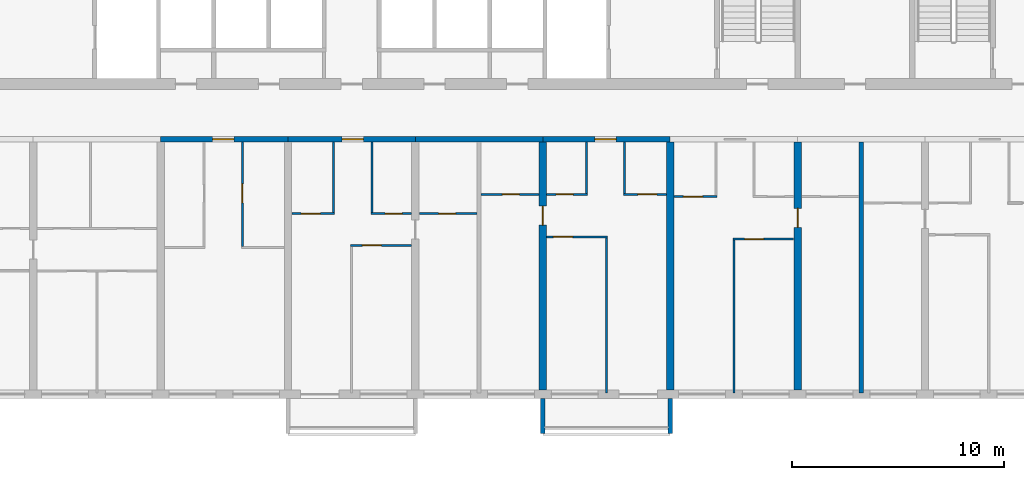
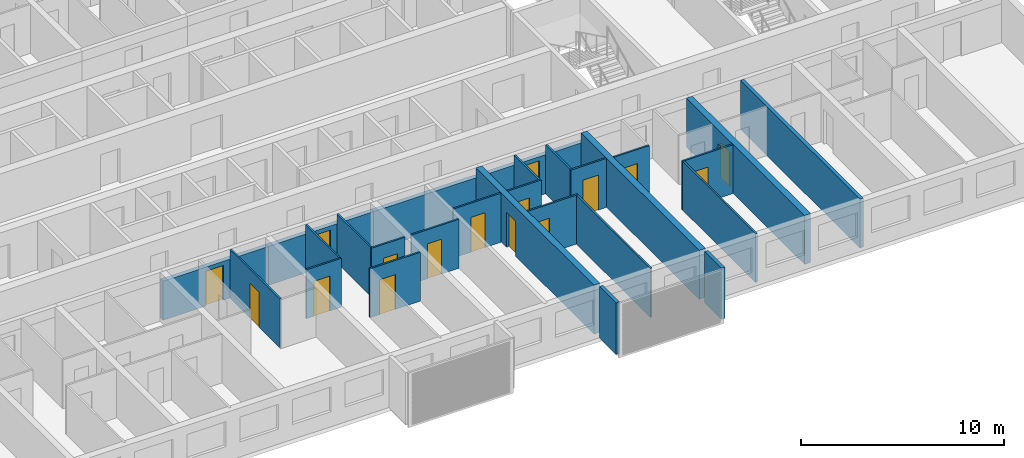
# One storey, part 5 of 24: 27 walls, 16 doors, 16 openings.
"""IFC4 building model written with IfcOpenShell, lengths in metres."""

from ifc_helpers import new_model, si_unit, direction, frame, frame_2d, origin, place, context, subcontext, project, spatial, polyline, rectangle, outline, extrude, source, transform, mapped, material, layer, layer_set, type_object, element, fill, save


model = new_model("IFC4")

# Units and contexts
model_context = context("Model", 3, precision=1e-05, world=origin(), true_north=direction((0.0, 1.0)))
body_context = subcontext(model_context, "Body", "Model", "MODEL_VIEW")
ifc_project = project(units=[si_unit("LENGTHUNIT", "METRE"), si_unit("AREAUNIT", "SQUARE_METRE"), si_unit("VOLUMEUNIT", "CUBIC_METRE"), si_unit("PLANEANGLEUNIT", "RADIAN"), si_unit("MASSUNIT", "GRAM", prefix="KILO")], contexts=[model_context])

# Site, building, storey
site_placement = place(None, origin())
site = spatial("IfcSite", under=ifc_project, at=site_placement, CompositionType="ELEMENT")
building_placement = place(site_placement, origin())
building = spatial("IfcBuilding", under=site, at=building_placement, Name="Poui Terraces", CompositionType="ELEMENT")
storey_placement = place(building_placement, frame((0.0, 0.0, 112.5)))
storey = spatial("IfcBuildingStorey", under=building, at=storey_placement, Name="L31", CompositionType="ELEMENT", Elevation=112.5)

# Wall, opening, door
ifc_material_1 = material(Name="Concrete 65 MPa", Category="concrete")
ifc_layer_1 = layer(ifc_material_1, 0.25)
ifc_layer_set_1 = layer_set([ifc_layer_1], Name="Concrete 65 MPa")
wall_type_1 = type_object("IfcWallType", Name="CORRIDOR WALL 250 65MPa", PredefinedType="SHEAR", material=ifc_layer_set_1)
wall_1_placement = place(storey_placement, frame((42.0, 12.0, 0.0), z_axis=(0.0, 0.0, 1.0), x_axis=(1.0, 0.0, 0.0)))
wall_1 = element("IfcWall", 1, at=wall_1_placement, inside=storey, type_object=wall_type_1, Name="CORRIDOR WALL LINE B BAY 6", PredefinedType="SHEAR", context=body_context, shape_type="SweptSolid", body=[
    extrude(rectangle(XDim=6.0, YDim=0.25, at=frame_2d((3.0, 0.0))), origin(), (0.0, 0.0, 1.0), 2.35009765625),
])
opening_1_placement = place(wall_1_placement, frame((2.449951171875, 0.0, 0.0)))
opening_1 = element("IfcOpeningElement", 2, at=opening_1_placement, cuts=wall_1, Name="Opening FD30S", PredefinedType="OPENING", context=body_context, shape_type="SweptSolid", body=[
    extrude(rectangle(XDim=1.0, YDim=2.10009765625, at=frame_2d((0.5, 1.050048828125))), frame((0.0, 0.135009765625, 0.0), z_axis=(0.0, -1.0, 0.0), x_axis=(1.0, 0.0, 0.0)), (0.0, 0.0, 1.0), 0.27001953125),
])
ifc_material_2 = material(Name="Steel fire door", Category="steel")
door_type_1 = type_object("IfcDoorType", Name="FLAT ENTRANCE DOOR 1000 X 2100", OperationType="NOTDEFINED", PredefinedType="DOOR", material=ifc_material_2)
door_1_placement = place(opening_1_placement, frame((1.0, 0.0, 0.0), z_axis=(0.0, 0.0, 1.0), x_axis=(-1.0, 0.0, 0.0)))
door_1 = element("IfcDoor", 3, at=door_1_placement, inside=storey, type_object=door_type_1, Name="FLAT ENTRANCE DOOR 093", OperationType="SINGLE_SWING_RIGHT", OverallHeight=2.10009765625, OverallWidth=1.0, PredefinedType="DOOR", context=body_context, shape_type="SweptSolid", body=[
    extrude(rectangle(XDim=1.0, YDim=2.10009765625, at=frame_2d((0.5, 1.050048828125))), frame((0.0, 0.02490234375, 0.0), z_axis=(0.0, -1.0, 0.0), x_axis=(1.0, 0.0, 0.0)), (0.0, 0.0, 1.0), 0.050048828125),
])
fill(opening_1, door_1)

wall_2_placement = place(storey_placement, frame((48.0, 12.0, 0.0), z_axis=(0.0, 0.0, 1.0), x_axis=(1.0, 0.0, 0.0)))
wall_2 = element("IfcWall", 4, at=wall_2_placement, inside=storey, type_object=wall_type_1, Name="CORRIDOR WALL LINE B BAY 7", PredefinedType="SHEAR", context=body_context, shape_type="SweptSolid", body=[
    extrude(rectangle(XDim=6.0, YDim=0.25, at=frame_2d((3.0, 0.0))), origin(), (0.0, 0.0, 1.0), 2.35009765625),
])
opening_2_placement = place(wall_2_placement, frame((2.550048828125, 0.0, 0.0)))
opening_2 = element("IfcOpeningElement", 5, at=opening_2_placement, cuts=wall_2, Name="Opening FD30S", PredefinedType="OPENING", context=body_context, shape_type="SweptSolid", body=[
    extrude(rectangle(XDim=1.0, YDim=2.10009765625, at=frame_2d((0.5, 1.050048828125))), frame((0.0, 0.135009765625, 0.0), z_axis=(0.0, -1.0, 0.0), x_axis=(1.0, 0.0, 0.0)), (0.0, 0.0, 1.0), 0.27001953125),
])
door_2_placement = place(opening_2_placement, frame((1.0, 0.0, 0.0), z_axis=(0.0, 0.0, 1.0), x_axis=(-1.0, 0.0, 0.0)))
door_2 = element("IfcDoor", 6, at=door_2_placement, inside=storey, type_object=door_type_1, Name="FLAT ENTRANCE DOOR 097", OperationType="SINGLE_SWING_LEFT", OverallHeight=2.10009765625, OverallWidth=1.0, PredefinedType="DOOR", context=body_context, shape_type="SweptSolid", body=[
    extrude(rectangle(XDim=1.0, YDim=2.10009765625, at=frame_2d((0.5, 1.050048828125))), frame((0.0, 0.02490234375, 0.0), z_axis=(0.0, -1.0, 0.0), x_axis=(1.0, 0.0, 0.0)), (0.0, 0.0, 1.0), 0.050048828125),
])
fill(opening_2, door_2)

# Wall
wall_3_placement = place(storey_placement, frame((54.0, 12.0, 0.0), z_axis=(0.0, 0.0, 1.0), x_axis=(1.0, 0.0, 0.0)))
element("IfcWall", 7, at=wall_3_placement, inside=storey, type_object=wall_type_1, Name="CORRIDOR WALL LINE B BAY 8", PredefinedType="SHEAR", context=body_context, shape_type="SweptSolid", body=[
    extrude(rectangle(XDim=6.0, YDim=0.25, at=frame_2d((3.0, 0.0))), origin(), (0.0, 0.0, 1.0), 2.35009765625),
])

# Wall, opening, door
wall_4_placement = place(storey_placement, frame((60.0, 12.0, 0.0), z_axis=(0.0, 0.0, 1.0), x_axis=(1.0, 0.0, 0.0)))
wall_4 = element("IfcWall", 8, at=wall_4_placement, inside=storey, type_object=wall_type_1, Name="CORRIDOR WALL LINE B BAY 9", PredefinedType="SHEAR", context=body_context, shape_type="SweptSolid", body=[
    extrude(rectangle(XDim=6.0, YDim=0.25, at=frame_2d((3.0, 0.0))), origin(), (0.0, 0.0, 1.0), 2.35009765625),
])
opening_3_placement = place(wall_4_placement, frame((2.449951171875, 0.0, 0.0)))
opening_3 = element("IfcOpeningElement", 9, at=opening_3_placement, cuts=wall_4, Name="Opening FD30S", PredefinedType="OPENING", context=body_context, shape_type="SweptSolid", body=[
    extrude(rectangle(XDim=1.0, YDim=2.10009765625, at=frame_2d((0.5, 1.050048828125))), frame((0.0, 0.135009765625, 0.0), z_axis=(0.0, -1.0, 0.0), x_axis=(1.0, 0.0, 0.0)), (0.0, 0.0, 1.0), 0.27001953125),
])
door_3_placement = place(opening_3_placement, frame((1.0, 0.0, 0.0), z_axis=(0.0, 0.0, 1.0), x_axis=(-1.0, 0.0, 0.0)))
door_3 = element("IfcDoor", 10, at=door_3_placement, inside=storey, type_object=door_type_1, Name="FLAT ENTRANCE DOOR 105", OperationType="SINGLE_SWING_RIGHT", OverallHeight=2.10009765625, OverallWidth=1.0, PredefinedType="DOOR", context=body_context, shape_type="SweptSolid", body=[
    extrude(rectangle(XDim=1.0, YDim=2.10009765625, at=frame_2d((0.5, 1.050048828125))), frame((0.0, 0.02490234375, 0.0), z_axis=(0.0, -1.0, 0.0), x_axis=(1.0, 0.0, 0.0)), (0.0, 0.0, 1.0), 0.050048828125),
])
fill(opening_3, door_3)

ifc_layer_2 = layer(ifc_material_1, 0.35009765625)
ifc_layer_set_2 = layer_set([ifc_layer_2], Name="Concrete 65 MPa")
wall_type_2 = type_object("IfcWallType", Name="CROSS WALL 350 65MPa", PredefinedType="SHEAR", material=ifc_layer_set_2)
wall_5_placement = place(storey_placement, frame((60.0, 0.199951171875, 0.0), z_axis=(0.0, 0.0, 1.0), x_axis=(0.0, 1.0, 0.0)))
wall_5 = element("IfcWall", 11, at=wall_5_placement, inside=storey, type_object=wall_type_2, Name="CROSS WALL LINE 11 SOUTH", PredefinedType="SHEAR", context=body_context, shape_type="SweptSolid", body=[
    extrude(rectangle(XDim=11.675048828125, YDim=0.35009765625, at=frame_2d((5.83740234375, 0.0))), origin(), (0.0, 0.0, 1.0), 2.949951171875),
])
opening_4_placement = place(wall_5_placement, frame((7.75, 0.0, 0.0)))
opening_4 = element("IfcOpeningElement", 12, at=opening_4_placement, cuts=wall_5, Name="Opening D90", PredefinedType="OPENING", context=body_context, shape_type="SweptSolid", body=[
    extrude(rectangle(XDim=0.89990234375, YDim=2.10009765625, at=frame_2d((0.449951171875, 1.050048828125))), frame((0.0, 0.18505859375, 0.0), z_axis=(0.0, -1.0, 0.0), x_axis=(1.0, 0.0, 0.0)), (0.0, 0.0, 1.0), 0.3701171875),
])
ifc_material_3 = material(Name="Solid core timber door", Category="wood")
door_type_2 = type_object("IfcDoorType", Name="INTERNAL DOOR 900 X 2100", OperationType="NOTDEFINED", PredefinedType="DOOR", material=ifc_material_3)
door_4_placement = place(opening_4_placement, origin())
door_4 = element("IfcDoor", 13, at=door_4_placement, inside=storey, type_object=door_type_2, Name="INTERNAL DOOR 102", OperationType="SINGLE_SWING_RIGHT", OverallHeight=2.10009765625, OverallWidth=0.89990234375, PredefinedType="DOOR", context=body_context, shape_type="SweptSolid", body=[
    extrude(rectangle(XDim=0.89990234375, YDim=2.10009765625, at=frame_2d((0.449951171875, 1.050048828125))), frame((0.0, 0.02490234375, 0.0), z_axis=(0.0, -1.0, 0.0), x_axis=(1.0, 0.0, 0.0)), (0.0, 0.0, 1.0), 0.050048828125),
])
fill(opening_4, door_4)

# Wall
wall_6_placement = place(storey_placement, frame((66.0, 0.199951171875, 0.0), z_axis=(0.0, 0.0, 1.0), x_axis=(0.0, 1.0, 0.0)))
element("IfcWall", 14, at=wall_6_placement, inside=storey, type_object=wall_type_2, Name="CROSS WALL LINE 12 SOUTH", PredefinedType="SHEAR", context=body_context, shape_type="SweptSolid", body=[
    extrude(rectangle(XDim=11.675048828125, YDim=0.35009765625, at=frame_2d((5.83740234375, 0.0))), origin(), (0.0, 0.0, 1.0), 2.949951171875),
])

# Wall, opening, door
wall_7_placement = place(storey_placement, frame((72.0, 0.199951171875, 0.0), z_axis=(0.0, 0.0, 1.0), x_axis=(0.0, 1.0, 0.0)))
wall_7 = element("IfcWall", 15, at=wall_7_placement, inside=storey, type_object=wall_type_2, Name="CROSS WALL LINE 13 SOUTH", PredefinedType="SHEAR", context=body_context, shape_type="SweptSolid", body=[
    extrude(rectangle(XDim=11.675048828125, YDim=0.35009765625, at=frame_2d((5.83740234375, 0.0))), origin(), (0.0, 0.0, 1.0), 2.949951171875),
])
opening_5_placement = place(wall_7_placement, frame((7.64990234375, 0.0, 0.0)))
opening_5 = element("IfcOpeningElement", 16, at=opening_5_placement, cuts=wall_7, Name="Opening D90", PredefinedType="OPENING", context=body_context, shape_type="SweptSolid", body=[
    extrude(rectangle(XDim=0.89990234375, YDim=2.10009765625, at=frame_2d((0.449951171875, 1.050048828125))), frame((0.0, 0.18505859375, 0.0), z_axis=(0.0, -1.0, 0.0), x_axis=(1.0, 0.0, 0.0)), (0.0, 0.0, 1.0), 0.3701171875),
])
door_5_placement = place(opening_5_placement, frame((0.89990234375, 0.0, 0.0), z_axis=(0.0, 0.0, 1.0), x_axis=(-1.0, 0.0, 0.0)))
door_5 = element("IfcDoor", 17, at=door_5_placement, inside=storey, type_object=door_type_2, Name="INTERNAL DOOR 112", OperationType="SINGLE_SWING_LEFT", OverallHeight=2.10009765625, OverallWidth=0.89990234375, PredefinedType="DOOR", context=body_context, shape_type="SweptSolid", body=[
    extrude(rectangle(XDim=0.89990234375, YDim=2.10009765625, at=frame_2d((0.449951171875, 1.050048828125))), frame((0.0, 0.02490234375, 0.0), z_axis=(0.0, -1.0, 0.0), x_axis=(1.0, 0.0, 0.0)), (0.0, 0.0, 1.0), 0.050048828125),
])
fill(opening_5, door_5)

ifc_material_4 = material(Name="Plasterboard partition")
ifc_layer_3 = layer(ifc_material_4, 0.10009765625)
ifc_layer_set_3 = layer_set([ifc_layer_3], Name="Plasterboard partition")
wall_type_3 = type_object("IfcWallType", Name="FLAT PARTITION 100", PredefinedType="PARTITIONING", material=ifc_layer_set_3)
wall_8_placement = place(storey_placement, frame((50.949951171875, 7.0, 0.0), z_axis=(0.0, 0.0, 1.0), x_axis=(1.0, 0.0, 0.0)))
wall_8 = element("IfcWall", 18, at=wall_8_placement, inside=storey, type_object=wall_type_3, Name="FLAT PARTITION 100", PredefinedType="PARTITIONING", context=body_context, shape_type="SweptSolid", body=[
    extrude(rectangle(XDim=2.864990234375, YDim=0.10009765625, at=frame_2d((1.4326171875, 0.0))), origin(), (0.0, 0.0, 1.0), 2.949951171875),
])
opening_6_placement = place(wall_8_placement, frame((0.550048828125, 0.0, 0.0)))
opening_6 = element("IfcOpeningElement", 19, at=opening_6_placement, cuts=wall_8, Name="Opening D90", PredefinedType="OPENING", context=body_context, shape_type="SweptSolid", body=[
    extrude(rectangle(XDim=0.89990234375, YDim=2.10009765625, at=frame_2d((0.449951171875, 1.050048828125))), frame((0.0, 0.06005859375, 0.0), z_axis=(0.0, -1.0, 0.0), x_axis=(1.0, 0.0, 0.0)), (0.0, 0.0, 1.0), 0.1201171875),
])
door_6_placement = place(opening_6_placement, origin())
door_6 = element("IfcDoor", 20, at=door_6_placement, inside=storey, type_object=door_type_2, Name="INTERNAL DOOR 098", OperationType="SINGLE_SWING_RIGHT", OverallHeight=2.10009765625, OverallWidth=0.89990234375, PredefinedType="DOOR", context=body_context, shape_type="SweptSolid", body=[
    extrude(rectangle(XDim=0.89990234375, YDim=2.10009765625, at=frame_2d((0.449951171875, 1.050048828125))), frame((0.0, 0.02490234375, 0.0), z_axis=(0.0, -1.0, 0.0), x_axis=(1.0, 0.0, 0.0)), (0.0, 0.0, 1.0), 0.050048828125),
])
fill(opening_6, door_6)

wall_9_placement = place(storey_placement, frame((68.949951171875, 7.300048828125, 0.0), z_axis=(0.0, 0.0, 1.0), x_axis=(1.0, 0.0, 0.0)))
wall_9 = element("IfcWall", 21, at=wall_9_placement, inside=storey, type_object=wall_type_3, Name="FLAT PARTITION 100", PredefinedType="PARTITIONING", context=body_context, shape_type="SweptSolid", body=[
    extrude(rectangle(XDim=2.864990234375, YDim=0.10009765625, at=frame_2d((1.4326171875, 0.0))), origin(), (0.0, 0.0, 1.0), 2.949951171875),
])
opening_7_placement = place(wall_9_placement, frame((0.550048828125, 0.0, 0.0)))
opening_7 = element("IfcOpeningElement", 22, at=opening_7_placement, cuts=wall_9, Name="Opening D90", PredefinedType="OPENING", context=body_context, shape_type="SweptSolid", body=[
    extrude(rectangle(XDim=0.89990234375, YDim=2.10009765625, at=frame_2d((0.449951171875, 1.050048828125))), frame((0.0, 0.06005859375, 0.0), z_axis=(0.0, -1.0, 0.0), x_axis=(1.0, 0.0, 0.0)), (0.0, 0.0, 1.0), 0.1201171875),
])
door_7_placement = place(opening_7_placement, origin())
door_7 = element("IfcDoor", 23, at=door_7_placement, inside=storey, type_object=door_type_2, Name="INTERNAL DOOR 110", OperationType="SINGLE_SWING_RIGHT", OverallHeight=2.10009765625, OverallWidth=0.89990234375, PredefinedType="DOOR", context=body_context, shape_type="SweptSolid", body=[
    extrude(rectangle(XDim=0.89990234375, YDim=2.10009765625, at=frame_2d((0.449951171875, 1.050048828125))), frame((0.0, 0.02490234375, 0.0), z_axis=(0.0, -1.0, 0.0), x_axis=(1.0, 0.0, 0.0)), (0.0, 0.0, 1.0), 0.050048828125),
])
fill(opening_7, door_7)

wall_10_placement = place(storey_placement, frame((60.18505859375, 7.39990234375, 0.0), z_axis=(0.0, 0.0, 1.0), x_axis=(1.0, 0.0, 0.0)))
wall_10 = element("IfcWall", 24, at=wall_10_placement, inside=storey, type_object=wall_type_3, Name="FLAT PARTITION 100", PredefinedType="PARTITIONING", context=body_context, shape_type="SweptSolid", body=[
    extrude(rectangle(XDim=2.864990234375, YDim=0.10009765625, at=frame_2d((1.4326171875, 0.0))), origin(), (0.0, 0.0, 1.0), 2.949951171875),
])
opening_8_placement = place(wall_10_placement, frame((0.31494140625, 0.0, 0.0)))
opening_8 = element("IfcOpeningElement", 25, at=opening_8_placement, cuts=wall_10, Name="Opening D90", PredefinedType="OPENING", context=body_context, shape_type="SweptSolid", body=[
    extrude(rectangle(XDim=0.89990234375, YDim=2.10009765625, at=frame_2d((0.449951171875, 1.050048828125))), frame((0.0, 0.06005859375, 0.0), z_axis=(0.0, -1.0, 0.0), x_axis=(1.0, 0.0, 0.0)), (0.0, 0.0, 1.0), 0.1201171875),
])
door_8_placement = place(opening_8_placement, origin())
door_8 = element("IfcDoor", 26, at=door_8_placement, inside=storey, type_object=door_type_2, Name="INTERNAL DOOR 103", OperationType="SINGLE_SWING_RIGHT", OverallHeight=2.10009765625, OverallWidth=0.89990234375, PredefinedType="DOOR", context=body_context, shape_type="SweptSolid", body=[
    extrude(rectangle(XDim=0.89990234375, YDim=2.10009765625, at=frame_2d((0.449951171875, 1.050048828125))), frame((0.0, 0.02490234375, 0.0), z_axis=(0.0, -1.0, 0.0), x_axis=(1.0, 0.0, 0.0)), (0.0, 0.0, 1.0), 0.050048828125),
])
fill(opening_8, door_8)

wall_11_placement = place(storey_placement, frame((48.18505859375, 8.5, 0.0), z_axis=(0.0, 0.0, 1.0), x_axis=(1.0, 0.0, 0.0)))
wall_11 = element("IfcWall", 27, at=wall_11_placement, inside=storey, type_object=wall_type_3, Name="FLAT PARTITION 100", PredefinedType="PARTITIONING", context=body_context, shape_type="SweptSolid", body=[
    extrude(rectangle(XDim=2.014892578125, YDim=0.10009765625, at=frame_2d((1.00732421875, 0.0))), origin(), (0.0, 0.0, 1.0), 2.949951171875),
])
opening_9_placement = place(wall_11_placement, frame((0.43994140625, 0.0, 0.0)))
opening_9 = element("IfcOpeningElement", 28, at=opening_9_placement, cuts=wall_11, Name="Opening D90", PredefinedType="OPENING", context=body_context, shape_type="SweptSolid", body=[
    extrude(rectangle(XDim=0.89990234375, YDim=2.10009765625, at=frame_2d((0.449951171875, 1.050048828125))), frame((0.0, 0.06005859375, 0.0), z_axis=(0.0, -1.0, 0.0), x_axis=(1.0, 0.0, 0.0)), (0.0, 0.0, 1.0), 0.1201171875),
])
door_9_placement = place(opening_9_placement, origin())
door_9 = element("IfcDoor", 29, at=door_9_placement, inside=storey, type_object=door_type_2, Name="INTERNAL DOOR 096", OperationType="SINGLE_SWING_RIGHT", OverallHeight=2.10009765625, OverallWidth=0.89990234375, PredefinedType="DOOR", context=body_context, shape_type="SweptSolid", body=[
    extrude(rectangle(XDim=0.89990234375, YDim=2.10009765625, at=frame_2d((0.449951171875, 1.050048828125))), frame((0.0, 0.02490234375, 0.0), z_axis=(0.0, -1.0, 0.0), x_axis=(1.0, 0.0, 0.0)), (0.0, 0.0, 1.0), 0.050048828125),
])
fill(opening_9, door_9)

wall_12_placement = place(storey_placement, frame((51.89990234375, 8.5, 0.0), z_axis=(0.0, 0.0, 1.0), x_axis=(1.0, 0.0, 0.0)))
wall_12 = element("IfcWall", 30, at=wall_12_placement, inside=storey, type_object=wall_type_3, Name="FLAT PARTITION 100", PredefinedType="PARTITIONING", context=body_context, shape_type="SweptSolid", body=[
    extrude(rectangle(XDim=1.9150390625, YDim=0.10009765625, at=frame_2d((0.95751953125, 0.0))), origin(), (0.0, 0.0, 1.0), 2.949951171875),
])
opening_10_placement = place(wall_12_placement, frame((0.675048828125, 0.0, 0.0)))
opening_10 = element("IfcOpeningElement", 31, at=opening_10_placement, cuts=wall_12, Name="Opening D80", PredefinedType="OPENING", context=body_context, shape_type="SweptSolid", body=[
    extrude(rectangle(XDim=0.800048828125, YDim=2.10009765625, at=frame_2d((0.39990234375, 1.050048828125))), frame((0.0, 0.06005859375, 0.0), z_axis=(0.0, -1.0, 0.0), x_axis=(1.0, 0.0, 0.0)), (0.0, 0.0, 1.0), 0.1201171875),
])
door_type_3 = type_object("IfcDoorType", Name="BATHROOM, LAUNDRY AND STORE DOOR 800 X 2100", OperationType="NOTDEFINED", PredefinedType="DOOR", material=ifc_material_3)
door_10_placement = place(opening_10_placement, origin())
door_10 = element("IfcDoor", 32, at=door_10_placement, inside=storey, type_object=door_type_3, Name="BATHROOM, LAUNDRY AND STORE DOOR 099", OperationType="SINGLE_SWING_LEFT", OverallHeight=2.10009765625, OverallWidth=0.800048828125, PredefinedType="DOOR", context=body_context, shape_type="SweptSolid", body=[
    extrude(rectangle(XDim=0.800048828125, YDim=2.10009765625, at=frame_2d((0.39990234375, 1.050048828125))), frame((0.0, 0.02490234375, 0.0), z_axis=(0.0, -1.0, 0.0), x_axis=(1.0, 0.0, 0.0)), (0.0, 0.0, 1.0), 0.050048828125),
])
fill(opening_10, door_10)

wall_13_placement = place(storey_placement, frame((54.18505859375, 8.5, 0.0), z_axis=(0.0, 0.0, 1.0), x_axis=(1.0, 0.0, 0.0)))
wall_13 = element("IfcWall", 33, at=wall_13_placement, inside=storey, type_object=wall_type_3, Name="FLAT PARTITION 100", PredefinedType="PARTITIONING", context=body_context, shape_type="SweptSolid", body=[
    extrude(rectangle(XDim=2.71484375, YDim=0.10009765625, at=frame_2d((1.357421875, 0.0))), origin(), (0.0, 0.0, 1.0), 2.949951171875),
])
opening_11_placement = place(wall_13_placement, frame((0.9150390625, 0.0, 0.0)))
opening_11 = element("IfcOpeningElement", 34, at=opening_11_placement, cuts=wall_13, Name="Opening D80", PredefinedType="OPENING", context=body_context, shape_type="SweptSolid", body=[
    extrude(rectangle(XDim=0.800048828125, YDim=2.10009765625, at=frame_2d((0.39990234375, 1.050048828125))), frame((0.0, 0.06005859375, 0.0), z_axis=(0.0, -1.0, 0.0), x_axis=(1.0, 0.0, 0.0)), (0.0, 0.0, 1.0), 0.1201171875),
])
door_11_placement = place(opening_11_placement, origin())
door_11 = element("IfcDoor", 35, at=door_11_placement, inside=storey, type_object=door_type_3, Name="BATHROOM, LAUNDRY AND STORE DOOR 095", OperationType="SINGLE_SWING_RIGHT", OverallHeight=2.10009765625, OverallWidth=0.800048828125, PredefinedType="DOOR", context=body_context, shape_type="SweptSolid", body=[
    extrude(rectangle(XDim=0.800048828125, YDim=2.10009765625, at=frame_2d((0.39990234375, 1.050048828125))), frame((0.0, 0.02490234375, 0.0), z_axis=(0.0, -1.0, 0.0), x_axis=(1.0, 0.0, 0.0)), (0.0, 0.0, 1.0), 0.050048828125),
])
fill(opening_11, door_11)

wall_14_placement = place(storey_placement, frame((66.18505859375, 9.300048828125, 0.0), z_axis=(0.0, 0.0, 1.0), x_axis=(1.0, 0.0, 0.0)))
wall_14 = element("IfcWall", 36, at=wall_14_placement, inside=storey, type_object=wall_type_3, Name="FLAT PARTITION 100", PredefinedType="PARTITIONING", context=body_context, shape_type="SweptSolid", body=[
    extrude(rectangle(XDim=2.014892578125, YDim=0.10009765625, at=frame_2d((1.00732421875, 0.0))), origin(), (0.0, 0.0, 1.0), 2.949951171875),
])
opening_12_placement = place(wall_14_placement, frame((0.43994140625, 0.0, 0.0)))
opening_12 = element("IfcOpeningElement", 37, at=opening_12_placement, cuts=wall_14, Name="Opening D90", PredefinedType="OPENING", context=body_context, shape_type="SweptSolid", body=[
    extrude(rectangle(XDim=0.89990234375, YDim=2.10009765625, at=frame_2d((0.449951171875, 1.050048828125))), frame((0.0, 0.06005859375, 0.0), z_axis=(0.0, -1.0, 0.0), x_axis=(1.0, 0.0, 0.0)), (0.0, 0.0, 1.0), 0.1201171875),
])
door_12_placement = place(opening_12_placement, origin())
door_12 = element("IfcDoor", 38, at=door_12_placement, inside=storey, type_object=door_type_2, Name="INTERNAL DOOR 108", OperationType="SINGLE_SWING_RIGHT", OverallHeight=2.10009765625, OverallWidth=0.89990234375, PredefinedType="DOOR", context=body_context, shape_type="SweptSolid", body=[
    extrude(rectangle(XDim=0.89990234375, YDim=2.10009765625, at=frame_2d((0.449951171875, 1.050048828125))), frame((0.0, 0.02490234375, 0.0), z_axis=(0.0, -1.0, 0.0), x_axis=(1.0, 0.0, 0.0)), (0.0, 0.0, 1.0), 0.050048828125),
])
fill(opening_12, door_12)

wall_15_placement = place(storey_placement, frame((57.10009765625, 9.39990234375, 0.0), z_axis=(0.0, 0.0, 1.0), x_axis=(1.0, 0.0, 0.0)))
wall_15 = element("IfcWall", 39, at=wall_15_placement, inside=storey, type_object=wall_type_3, Name="FLAT PARTITION 100", PredefinedType="PARTITIONING", context=body_context, shape_type="SweptSolid", body=[
    extrude(rectangle(XDim=2.71484375, YDim=0.10009765625, at=frame_2d((1.357421875, 0.0))), origin(), (0.0, 0.0, 1.0), 2.949951171875),
])
opening_13_placement = place(wall_15_placement, frame((1.0, 0.0, 0.0)))
opening_13 = element("IfcOpeningElement", 40, at=opening_13_placement, cuts=wall_15, Name="Opening D80", PredefinedType="OPENING", context=body_context, shape_type="SweptSolid", body=[
    extrude(rectangle(XDim=0.800048828125, YDim=2.10009765625, at=frame_2d((0.39990234375, 1.050048828125))), frame((0.0, 0.06005859375, 0.0), z_axis=(0.0, -1.0, 0.0), x_axis=(1.0, 0.0, 0.0)), (0.0, 0.0, 1.0), 0.1201171875),
])
door_13_placement = place(opening_13_placement, origin())
door_13 = element("IfcDoor", 41, at=door_13_placement, inside=storey, type_object=door_type_3, Name="BATHROOM, LAUNDRY AND STORE DOOR 101", OperationType="SINGLE_SWING_LEFT", OverallHeight=2.10009765625, OverallWidth=0.800048828125, PredefinedType="DOOR", context=body_context, shape_type="SweptSolid", body=[
    extrude(rectangle(XDim=0.800048828125, YDim=2.10009765625, at=frame_2d((0.39990234375, 1.050048828125))), frame((0.0, 0.02490234375, 0.0), z_axis=(0.0, -1.0, 0.0), x_axis=(1.0, 0.0, 0.0)), (0.0, 0.0, 1.0), 0.050048828125),
])
fill(opening_13, door_13)

wall_16_placement = place(storey_placement, frame((60.18505859375, 9.39990234375, 0.0), z_axis=(0.0, 0.0, 1.0), x_axis=(1.0, 0.0, 0.0)))
wall_16 = element("IfcWall", 42, at=wall_16_placement, inside=storey, type_object=wall_type_3, Name="FLAT PARTITION 100", PredefinedType="PARTITIONING", context=body_context, shape_type="SweptSolid", body=[
    extrude(rectangle(XDim=1.9150390625, YDim=0.10009765625, at=frame_2d((0.95751953125, 0.0))), origin(), (0.0, 0.0, 1.0), 2.949951171875),
])
opening_14_placement = place(wall_16_placement, frame((0.43994140625, 0.0, 0.0)))
opening_14 = element("IfcOpeningElement", 43, at=opening_14_placement, cuts=wall_16, Name="Opening D80", PredefinedType="OPENING", context=body_context, shape_type="SweptSolid", body=[
    extrude(rectangle(XDim=0.800048828125, YDim=2.10009765625, at=frame_2d((0.39990234375, 1.050048828125))), frame((0.0, 0.06005859375, 0.0), z_axis=(0.0, -1.0, 0.0), x_axis=(1.0, 0.0, 0.0)), (0.0, 0.0, 1.0), 0.1201171875),
])
door_14_placement = place(opening_14_placement, origin())
door_14 = element("IfcDoor", 44, at=door_14_placement, inside=storey, type_object=door_type_3, Name="BATHROOM, LAUNDRY AND STORE DOOR 104", OperationType="SINGLE_SWING_LEFT", OverallHeight=2.10009765625, OverallWidth=0.800048828125, PredefinedType="DOOR", context=body_context, shape_type="SweptSolid", body=[
    extrude(rectangle(XDim=0.800048828125, YDim=2.10009765625, at=frame_2d((0.39990234375, 1.050048828125))), frame((0.0, 0.02490234375, 0.0), z_axis=(0.0, -1.0, 0.0), x_axis=(1.0, 0.0, 0.0)), (0.0, 0.0, 1.0), 0.050048828125),
])
fill(opening_14, door_14)

wall_17_placement = place(storey_placement, frame((63.800048828125, 9.39990234375, 0.0), z_axis=(0.0, 0.0, 1.0), x_axis=(1.0, 0.0, 0.0)))
wall_17 = element("IfcWall", 45, at=wall_17_placement, inside=storey, type_object=wall_type_3, Name="FLAT PARTITION 100", PredefinedType="PARTITIONING", context=body_context, shape_type="SweptSolid", body=[
    extrude(rectangle(XDim=2.014892578125, YDim=0.10009765625, at=frame_2d((1.00732421875, 0.0))), origin(), (0.0, 0.0, 1.0), 2.949951171875),
])
opening_15_placement = place(wall_17_placement, frame((0.675048828125, 0.0, 0.0)))
opening_15 = element("IfcOpeningElement", 46, at=opening_15_placement, cuts=wall_17, Name="Opening D90", PredefinedType="OPENING", context=body_context, shape_type="SweptSolid", body=[
    extrude(rectangle(XDim=0.89990234375, YDim=2.10009765625, at=frame_2d((0.449951171875, 1.050048828125))), frame((0.0, 0.06005859375, 0.0), z_axis=(0.0, -1.0, 0.0), x_axis=(1.0, 0.0, 0.0)), (0.0, 0.0, 1.0), 0.1201171875),
])
door_15_placement = place(opening_15_placement, origin())
door_15 = element("IfcDoor", 47, at=door_15_placement, inside=storey, type_object=door_type_2, Name="INTERNAL DOOR 106", OperationType="SINGLE_SWING_RIGHT", OverallHeight=2.10009765625, OverallWidth=0.89990234375, PredefinedType="DOOR", context=body_context, shape_type="SweptSolid", body=[
    extrude(rectangle(XDim=0.89990234375, YDim=2.10009765625, at=frame_2d((0.449951171875, 1.050048828125))), frame((0.0, 0.02490234375, 0.0), z_axis=(0.0, -1.0, 0.0), x_axis=(1.0, 0.0, 0.0)), (0.0, 0.0, 1.0), 0.050048828125),
])
fill(opening_15, door_15)

wall_18_placement = place(storey_placement, frame((45.85009765625, 6.949951171875, 0.0), z_axis=(0.0, 0.0, 1.0), x_axis=(0.0, 1.0, 0.0)))
wall_18 = element("IfcWall", 48, at=wall_18_placement, inside=storey, type_object=wall_type_3, Name="FLAT PARTITION 100", PredefinedType="PARTITIONING", context=body_context, shape_type="SweptSolid", body=[
    extrude(rectangle(XDim=4.9150390625, YDim=0.10009765625, at=frame_2d((2.45751953125, 0.0))), origin(), (0.0, 0.0, 1.0), 2.949951171875),
])
opening_16_placement = place(wall_18_placement, frame((2.050048828125, 0.0, 0.0)))
opening_16 = element("IfcOpeningElement", 49, at=opening_16_placement, cuts=wall_18, Name="Opening D90", PredefinedType="OPENING", context=body_context, shape_type="SweptSolid", body=[
    extrude(rectangle(XDim=0.89990234375, YDim=2.10009765625, at=frame_2d((0.449951171875, 1.050048828125))), frame((0.0, 0.06005859375, 0.0), z_axis=(0.0, -1.0, 0.0), x_axis=(1.0, 0.0, 0.0)), (0.0, 0.0, 1.0), 0.1201171875),
])
door_16_placement = place(opening_16_placement, frame((0.89990234375, 0.0, 0.0), z_axis=(0.0, 0.0, 1.0), x_axis=(-1.0, 0.0, 0.0)))
door_16 = element("IfcDoor", 50, at=door_16_placement, inside=storey, type_object=door_type_2, Name="INTERNAL DOOR 094", OperationType="SINGLE_SWING_RIGHT", OverallHeight=2.10009765625, OverallWidth=0.89990234375, PredefinedType="DOOR", context=body_context, shape_type="SweptSolid", body=[
    extrude(rectangle(XDim=0.89990234375, YDim=2.10009765625, at=frame_2d((0.449951171875, 1.050048828125))), frame((0.0, 0.02490234375, 0.0), z_axis=(0.0, -1.0, 0.0), x_axis=(1.0, 0.0, 0.0)), (0.0, 0.0, 1.0), 0.050048828125),
])
fill(opening_16, door_16)

# Walls
for number, where, z_axis, x_axis, name in (
    (51, (50.14990234375, 8.550048828125, 0.0), (0.0, 0.0, 1.0), (0.0, 1.0, 0.0), "FLAT PARTITION 100"),
    (52, (51.949951171875, 8.550048828125, 0.0), (0.0, 0.0, 1.0), (0.0, 1.0, 0.0), "FLAT PARTITION 100"),
):
    element("IfcWall", number, at=place(storey_placement, frame(where, z_axis=z_axis, x_axis=x_axis)), inside=storey, type_object=wall_type_3, Name=name, PredefinedType="PARTITIONING", context=body_context, shape_type="SweptSolid", body=[
        extrude(rectangle(XDim=3.31494140625, YDim=0.10009765625, at=frame_2d((1.657470703125, 0.0))), origin(), (0.0, 0.0, 1.0), 2.949951171875),
    ])
wall_19_placement = place(storey_placement, frame((62.050048828125, 9.449951171875, 0.0), z_axis=(0.0, 0.0, 1.0), x_axis=(0.0, 1.0, 0.0)))
element("IfcWall", 53, at=wall_19_placement, inside=storey, type_object=wall_type_3, Name="FLAT PARTITION 100", PredefinedType="PARTITIONING", context=body_context, shape_type="SweptSolid", body=[
    extrude(rectangle(XDim=2.4150390625, YDim=0.10009765625, at=frame_2d((1.20751953125, 0.0))), origin(), (0.0, 0.0, 1.0), 2.949951171875),
])
wall_20_placement = place(storey_placement, frame((63.0, 0.06005859375, 0.0), z_axis=(0.0, 0.0, 1.0), x_axis=(0.0, 1.0, 0.0)))
element("IfcWall", 54, at=wall_20_placement, inside=storey, type_object=wall_type_3, Name="FLAT PARTITION 100", PredefinedType="PARTITIONING", context=body_context, shape_type="SweptSolid", body=[
    extrude(rectangle(XDim=7.2900390625, YDim=0.10009765625, at=frame_2d((3.64501953125, 0.0))), origin(), (0.0, 0.0, 1.0), 2.949951171875),
])
wall_21_placement = place(storey_placement, frame((63.85009765625, 9.449951171875, 0.0), z_axis=(0.0, 0.0, 1.0), x_axis=(0.0, 1.0, 0.0)))
element("IfcWall", 55, at=wall_21_placement, inside=storey, type_object=wall_type_3, Name="FLAT PARTITION 100", PredefinedType="PARTITIONING", context=body_context, shape_type="SweptSolid", body=[
    extrude(rectangle(XDim=2.4150390625, YDim=0.10009765625, at=frame_2d((1.20751953125, 0.0))), origin(), (0.0, 0.0, 1.0), 2.949951171875),
])
wall_22_placement = place(storey_placement, frame((69.0, 0.06005859375, 0.0), z_axis=(0.0, 0.0, 1.0), x_axis=(0.0, 1.0, 0.0)))
element("IfcWall", 56, at=wall_22_placement, inside=storey, type_object=wall_type_3, Name="FLAT PARTITION 100", PredefinedType="PARTITIONING", context=body_context, shape_type="SweptSolid", body=[
    extrude(rectangle(XDim=7.18994140625, YDim=0.10009765625, at=frame_2d((3.594970703125, 0.0))), origin(), (0.0, 0.0, 1.0), 2.949951171875),
])
ifc_material_5 = material(Name="Fire-rated masonry wall", Category="masonry")
ifc_layer_4 = layer(ifc_material_5, 0.199951171875)
ifc_layer_set_4 = layer_set([ifc_layer_4], Name="Fire-rated masonry wall")
wall_type_4 = type_object("IfcWallType", Name="FLAT PARTY WALL 200", PredefinedType="PARTITIONING", material=ifc_layer_set_4)
wall_23_placement = place(storey_placement, frame((75.0, 0.06005859375, 0.0), z_axis=(0.0, 0.0, 1.0), x_axis=(0.0, 1.0, 0.0)))
element("IfcWall", 57, at=wall_23_placement, inside=storey, type_object=wall_type_4, Name="FLAT PARTY WALL 200", PredefinedType="PARTITIONING", context=body_context, shape_type="SweptSolid", body=[
    extrude(rectangle(XDim=11.804931640625, YDim=0.199951171875, at=frame_2d((5.90234375, 0.0))), origin(), (0.0, 0.0, 1.0), 2.949951171875),
])
ifc_material_6 = material(Name="Precast concrete 40 MPa", Category="concrete")
ifc_layer_5 = layer(ifc_material_6, 0.199951171875)
ifc_layer_set_5 = layer_set([ifc_layer_5], Name="Precast concrete 40 MPa")
wall_type_5 = type_object("IfcWallType", Name="REAR FIN 200", PredefinedType="STANDARD", material=ifc_layer_set_5)
shared_shape = source(origin(), body_context, "Body", "SweptSolid", [
    extrude(outline(polyline([(0.0, 0.0), (0.2001953125, 0.0), (0.2001953125, 1.650146484375), (0.0, 1.650146484375), (0.0, 0.0)])), origin(), (0.0, 0.0, 1.0), 3.10009765625),
])
for number, where, name in (
    (58, (59.89990234375, -1.85009765625, 0.0), "REAR FIN"),
    (59, (65.89990234375, -1.85009765625, 0.0), "REAR FIN"),
):
    element("IfcWall", number, at=place(storey_placement, frame(where)), inside=storey, type_object=wall_type_5, Name=name, PredefinedType="STANDARD", context=body_context, shape_type="MappedRepresentation", body=[
        mapped(shared_shape, transform((0.0, 0.0, 0.0))),
    ])

save(model, "model.ifc")
